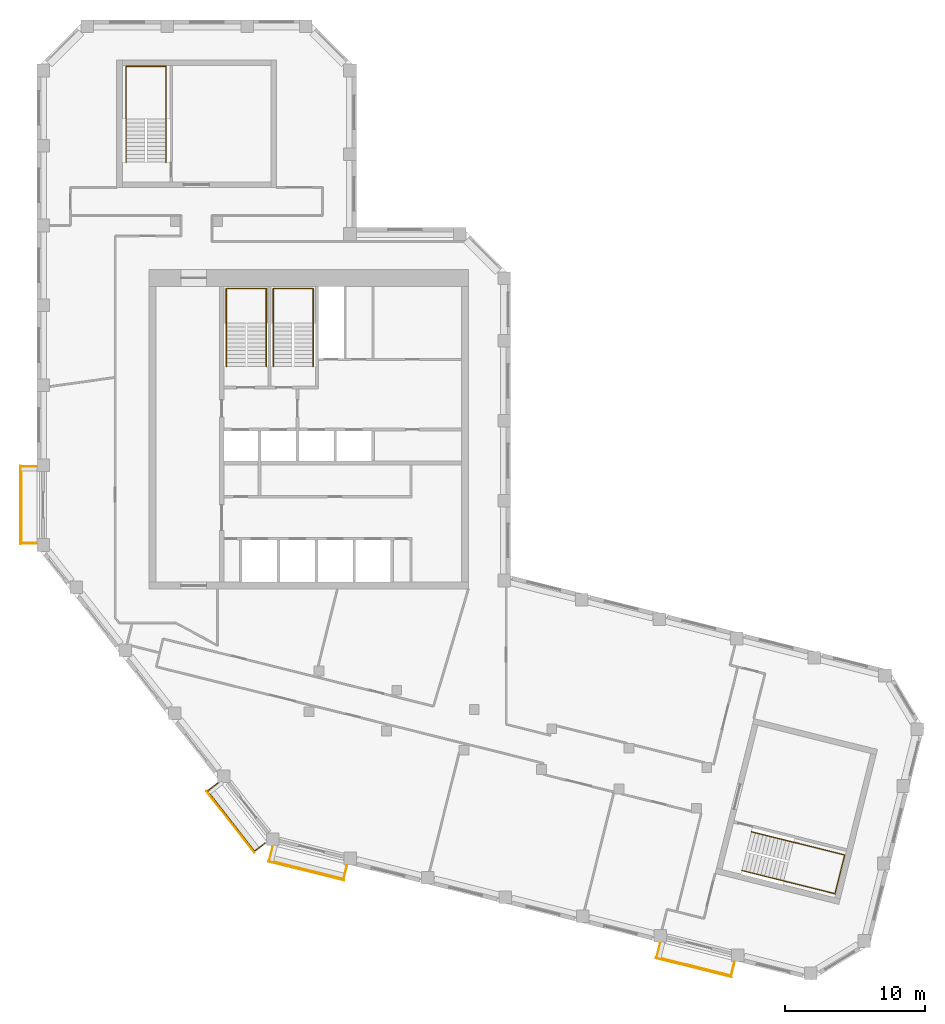
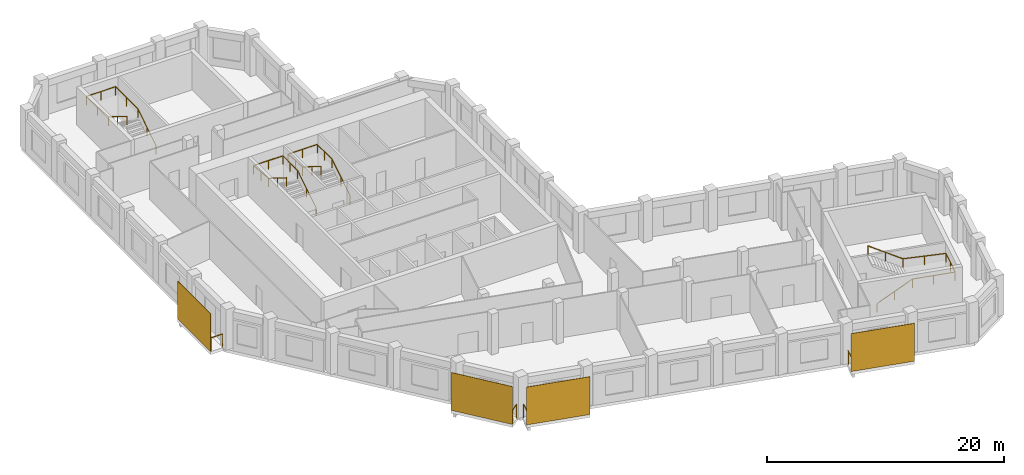
# One storey, part 8 of 8: 8 railings, 4 shading devices.
"""IFC4 building model written with IfcOpenShell, lengths in metres."""

from ifc_helpers import new_model, si_unit, direction, frame, origin, origin_2d, place, context, subcontext, project, spatial, rectangle, circle, extrude, material, layer, layer_set, type_object, element, save


model = new_model("IFC4")

# Units and contexts
model_context = context("Model", 3, precision=1e-05, world=origin(), true_north=direction((0.0, 1.0)))
body_context = subcontext(model_context, "Body", "Model", "MODEL_VIEW")
ifc_project = project(units=[si_unit("LENGTHUNIT", "METRE"), si_unit("AREAUNIT", "SQUARE_METRE"), si_unit("VOLUMEUNIT", "CUBIC_METRE"), si_unit("PLANEANGLEUNIT", "RADIAN"), si_unit("MASSUNIT", "GRAM", prefix="KILO")], contexts=[model_context])

# Site, building, storey
site_placement = place(None, origin())
site = spatial("IfcSite", under=ifc_project, at=site_placement, CompositionType="ELEMENT")
building_placement = place(site_placement, origin())
building = spatial("IfcBuilding", under=site, at=building_placement, Name="Meshkara Civic Tower", CompositionType="ELEMENT")
storey_placement = place(building_placement, frame((0.0, 0.0, 362.39990234375)))
storey = spatial("IfcBuildingStorey", under=building, at=storey_placement, Name="L83", CompositionType="ELEMENT", Elevation=362.39990234375)

# Railings
ifc_material_1 = material(Name="Steel S355", Category="steel")
railing_type_1 = type_object("IfcRailingType", Name="BALUSTRADE GUARD 1400", PredefinedType="BALUSTRADE", material=ifc_material_1)
railing_1_placement = place(storey_placement, frame((0.0, 22.8349609375, 0.0)))
element("IfcRailing", 1, at=railing_1_placement, inside=storey, type_object=railing_type_1, Name="Balcony guard", PredefinedType="BALUSTRADE", context=body_context, shape_type="SweptSolid", body=[
    extrude(circle(Radius=0.02392578125, at=origin_2d()), frame((0.0, 0.0, 1.3759765625), z_axis=(-1.0, 0.0, 0.0), x_axis=(0.0, -1.0, 0.0)), (0.0, 0.0, 1.0), 1.110107421875),
    extrude(circle(Radius=0.02392578125, at=origin_2d()), frame((-1.110107421875, 0.0, 1.3759765625), z_axis=(0.0, -1.0, 0.0), x_axis=(1.0, 0.0, 0.0)), (0.0, 0.0, 1.0), 5.4599609375),
    extrude(circle(Radius=0.02392578125, at=origin_2d()), frame((-1.110107421875, -5.4599609375, 1.3759765625), z_axis=(1.0, 0.0, 0.0), x_axis=(0.0, 1.0, 0.0)), (0.0, 0.0, 1.0), 1.110107421875),
    extrude(circle(Radius=0.02099609375, at=origin_2d()), origin(), (0.0, 0.0, 1.0), 1.351806640625),
    extrude(circle(Radius=0.02099609375, at=origin_2d()), frame((-1.110107421875, 0.0, 0.0)), (0.0, 0.0, 1.0), 1.351806640625),
    extrude(circle(Radius=0.02099609375, at=origin_2d()), frame((-1.110107421875, -1.092041015625, 0.0)), (0.0, 0.0, 1.0), 1.351806640625),
    extrude(circle(Radius=0.02099609375, at=origin_2d()), frame((-1.110107421875, -2.18408203125, 0.0)), (0.0, 0.0, 1.0), 1.351806640625),
    extrude(circle(Radius=0.02099609375, at=origin_2d()), frame((-1.110107421875, -3.27587890625, 0.0)), (0.0, 0.0, 1.0), 1.351806640625),
    extrude(circle(Radius=0.02099609375, at=origin_2d()), frame((-1.110107421875, -4.367919921875, 0.0)), (0.0, 0.0, 1.0), 1.351806640625),
    extrude(circle(Radius=0.02099609375, at=origin_2d()), frame((-1.110107421875, -5.4599609375, 0.0)), (0.0, 0.0, 1.0), 1.351806640625),
    extrude(circle(Radius=0.02099609375, at=origin_2d()), frame((0.0, -5.4599609375, 0.0)), (0.0, 0.0, 1.0), 1.351806640625),
])
railing_2_placement = place(storey_placement, frame((12.91796875, 0.27001953125, 0.0)))
element("IfcRailing", 2, at=railing_2_placement, inside=storey, type_object=railing_type_1, Name="Balcony guard", PredefinedType="BALUSTRADE", context=body_context, shape_type="SweptSolid", body=[
    extrude(circle(Radius=0.02392578125, at=origin_2d()), frame((0.0, 0.0, 1.3759765625), z_axis=(-0.788430880583, -0.615123358801, 0.0), x_axis=(0.615123358801, -0.788430880583, 0.0)), (0.0, 0.0, 1.0), 0.92822265625),
    extrude(circle(Radius=0.02392578125, at=origin_2d()), frame((-0.73193359375, -0.571044921875, 1.3759765625), z_axis=(0.615684818606, -0.787992515281, 0.0), x_axis=(0.787992515281, 0.615684818606, 0.0)), (0.0, 0.0, 1.0), 5.460693359375),
    extrude(circle(Radius=0.02392578125, at=origin_2d()), frame((2.630126953125, -4.8740234375, 1.3759765625), z_axis=(0.787920766417, 0.615776636329, 0.0), x_axis=(-0.615776636329, 0.787920766417, 0.0)), (0.0, 0.0, 1.0), 0.928955078125),
    extrude(circle(Radius=0.02099609375, at=origin_2d()), origin(), (0.0, 0.0, 1.0), 1.351806640625),
    extrude(circle(Radius=0.02099609375, at=origin_2d()), frame((-0.73193359375, -0.571044921875, 0.0)), (0.0, 0.0, 1.0), 1.351806640625),
    extrude(circle(Radius=0.02099609375, at=origin_2d()), frame((-0.0595703125, -1.431640625, 0.0)), (0.0, 0.0, 1.0), 1.351806640625),
    extrude(circle(Radius=0.02099609375, at=origin_2d()), frame((0.61279296875, -2.292236328125, 0.0)), (0.0, 0.0, 1.0), 1.351806640625),
    extrude(circle(Radius=0.02099609375, at=origin_2d()), frame((1.285400390625, -3.15283203125, 0.0)), (0.0, 0.0, 1.0), 1.351806640625),
    extrude(circle(Radius=0.02099609375, at=origin_2d()), frame((1.957763671875, -4.013427734375, 0.0)), (0.0, 0.0, 1.0), 1.351806640625),
    extrude(circle(Radius=0.02099609375, at=origin_2d()), frame((2.630126953125, -4.8740234375, 0.0)), (0.0, 0.0, 1.0), 1.351806640625),
    extrude(circle(Radius=0.02099609375, at=origin_2d()), frame((3.362060546875, -4.302001953125, 0.0)), (0.0, 0.0, 1.0), 1.351806640625),
])
railing_3_placement = place(storey_placement, frame((16.8359375, -4.2958984375, 0.0)))
element("IfcRailing", 3, at=railing_3_placement, inside=storey, type_object=railing_type_1, Name="Balcony guard", PredefinedType="BALUSTRADE", context=body_context, shape_type="SweptSolid", body=[
    extrude(circle(Radius=0.02392578125, at=origin_2d()), frame((0.0, 0.0, 1.3759765625), z_axis=(-0.24213955905, -0.97024143075, 0.0), x_axis=(0.97024143075, -0.24213955905, 0.0)), (0.0, 0.0, 1.0), 1.015380859375),
    extrude(circle(Radius=0.02392578125, at=origin_2d()), frame((-0.245849609375, -0.985107421875, 1.3759765625), z_axis=(0.970289613784, -0.241946410147, 0.0), x_axis=(0.241946410147, 0.970289613784, 0.0)), (0.0, 0.0, 1.0), 5.4599609375),
    extrude(circle(Radius=0.02392578125, at=origin_2d()), frame((5.052001953125, -2.30615234375, 1.3759765625), z_axis=(0.242365897307, 0.970184916303, 0.0), x_axis=(-0.970184916303, 0.242365897307, 0.0)), (0.0, 0.0, 1.0), 1.015380859375),
    extrude(circle(Radius=0.02099609375, at=origin_2d()), origin(), (0.0, 0.0, 1.0), 1.351806640625),
    extrude(circle(Radius=0.02099609375, at=origin_2d()), frame((-0.245849609375, -0.985107421875, 0.0)), (0.0, 0.0, 1.0), 1.351806640625),
    extrude(circle(Radius=0.02099609375, at=origin_2d()), frame((0.813720703125, -1.249267578125, 0.0)), (0.0, 0.0, 1.0), 1.351806640625),
    extrude(circle(Radius=0.02099609375, at=origin_2d()), frame((1.873291015625, -1.513427734375, 0.0)), (0.0, 0.0, 1.0), 1.351806640625),
    extrude(circle(Radius=0.02099609375, at=origin_2d()), frame((2.932861328125, -1.77783203125, 0.0)), (0.0, 0.0, 1.0), 1.351806640625),
    extrude(circle(Radius=0.02099609375, at=origin_2d()), frame((3.992431640625, -2.0419921875, 0.0)), (0.0, 0.0, 1.0), 1.351806640625),
    extrude(circle(Radius=0.02099609375, at=origin_2d()), frame((5.052001953125, -2.30615234375, 0.0)), (0.0, 0.0, 1.0), 1.351806640625),
    extrude(circle(Radius=0.02099609375, at=origin_2d()), frame((5.298095703125, -1.321044921875, 0.0)), (0.0, 0.0, 1.0), 1.351806640625),
])
railing_4_placement = place(storey_placement, frame((44.489013671875, -11.19091796875, 0.0)))
element("IfcRailing", 4, at=railing_4_placement, inside=storey, type_object=railing_type_1, Name="Balcony guard", PredefinedType="BALUSTRADE", context=body_context, shape_type="SweptSolid", body=[
    extrude(circle(Radius=0.02392578125, at=origin_2d()), frame((0.0, 0.0, 1.3759765625), z_axis=(-0.242592252133, -0.970128341615, 0.0), x_axis=(0.970128341615, -0.242592252133, 0.0)), (0.0, 0.0, 1.0), 1.014404296875),
    extrude(circle(Radius=0.02392578125, at=origin_2d()), frame((-0.24609375, -0.984130859375, 1.3759765625), z_axis=(0.970292231073, -0.24193591366, 0.0), x_axis=(0.24193591366, 0.970292231073, 0.0)), (0.0, 0.0, 1.0), 5.460205078125),
    extrude(circle(Radius=0.02392578125, at=origin_2d()), frame((5.052001953125, -2.30517578125, 1.3759765625), z_axis=(0.242592252133, 0.970128341615, 0.0), x_axis=(-0.970128341615, 0.242592252133, 0.0)), (0.0, 0.0, 1.0), 1.014404296875),
    extrude(circle(Radius=0.02099609375, at=origin_2d()), origin(), (0.0, 0.0, 1.0), 1.351806640625),
    extrude(circle(Radius=0.02099609375, at=origin_2d()), frame((-0.24609375, -0.984130859375, 0.0)), (0.0, 0.0, 1.0), 1.351806640625),
    extrude(circle(Radius=0.02099609375, at=origin_2d()), frame((0.8134765625, -1.248291015625, 0.0)), (0.0, 0.0, 1.0), 1.351806640625),
    extrude(circle(Radius=0.02099609375, at=origin_2d()), frame((1.873046875, -1.512451171875, 0.0)), (0.0, 0.0, 1.0), 1.351806640625),
    extrude(circle(Radius=0.02099609375, at=origin_2d()), frame((2.932861328125, -1.77685546875, 0.0)), (0.0, 0.0, 1.0), 1.351806640625),
    extrude(circle(Radius=0.02099609375, at=origin_2d()), frame((3.992431640625, -2.041015625, 0.0)), (0.0, 0.0, 1.0), 1.351806640625),
    extrude(circle(Radius=0.02099609375, at=origin_2d()), frame((5.052001953125, -2.30517578125, 0.0)), (0.0, 0.0, 1.0), 1.351806640625),
    extrude(circle(Radius=0.02099609375, at=origin_2d()), frame((5.298095703125, -1.321044921875, 0.0)), (0.0, 0.0, 1.0), 1.351806640625),
])

# Shading devices
ifc_material_2 = material(Name="Perforated bronze anodised aluminium sheet", Category="aluminium")
ifc_layer = layer(ifc_material_2, 0.0400390625)
ifc_layer_set = layer_set([ifc_layer], Name="PERFORATED BRONZE SCREEN")
shading_device_type = type_object("IfcShadingDeviceType", Name="PERFORATED BRONZE SCREEN", PredefinedType="USERDEFINED", material=ifc_layer_set)
for number, where, z_axis, x_axis, name in (
    (5, (-1.179931640625, 20.10498046875, 0.000244140625), (0.0, 0.0, 1.0), (0.0, -1.0, 0.0), "Balcony screen"),
    (6, (13.81201171875, -2.4951171875, 0.000244140625), (0.0, 0.0, 1.0), (0.615661475326, -0.788010753607, 0.0), "Balcony screen"),
    (7, (19.221923828125, -6.009033203125, 0.000244140625), (0.0, 0.0, 1.0), (0.970295726276, -0.2419218956, 0.0), "Balcony screen"),
    (8, (46.875, -12.904052734375, 0.000244140625), (0.0, 0.0, 1.0), (0.970295726276, -0.2419218956, 0.0), "Balcony screen"),
):
    element("IfcShadingDevice", number, at=place(storey_placement, frame(where, z_axis=z_axis, x_axis=x_axis)), inside=storey, type_object=shading_device_type, Name=name, ObjectType="SCREEN", PredefinedType="USERDEFINED", context=body_context, shape_type="SweptSolid", body=[
        extrude(rectangle(XDim=5.580078125, YDim=0.0400390625, at=origin_2d()), origin(), (0.0, 0.0, 1.0), 3.89990234375),
    ])

# Railings
ifc_material_3 = material(Name="Steel handrail", Category="steel")
railing_type_2 = type_object("IfcRailingType", Name="Stair handrail 900", PredefinedType="HANDRAIL", material=ifc_material_3)
railing_5_placement = place(storey_placement, frame((16.375, 30.0, 0.175048828125)))
element("IfcRailing", 9, at=railing_5_placement, inside=storey, type_object=railing_type_2, Name="L83 ST1 stair handrail 1", PredefinedType="HANDRAIL", context=body_context, shape_type="SweptSolid", body=[
    extrude(circle(Radius=0.02392578125, at=origin_2d()), frame((0.0, 0.0, 0.8759765625), z_axis=(0.0, 0.847998304005, 0.529998940003), x_axis=(-1.0, 0.0, 0.0)), (0.0, 0.0, 1.0), 3.632080078125),
    extrude(circle(Radius=0.02392578125, at=origin_2d()), frame((0.0, 3.080078125, 2.80078125), z_axis=(0.0, 1.0, 0.0), x_axis=(-1.0, 0.0, 0.0)), (0.0, 0.0, 1.0), 2.469970703125),
    extrude(circle(Radius=0.02392578125, at=origin_2d()), frame((0.0, 5.550048828125, 2.80078125), z_axis=(-1.0, 0.0, 0.0), x_axis=(0.0, -1.0, 0.0)), (0.0, 0.0, 1.0), 2.85009765625),
    extrude(circle(Radius=0.02392578125, at=origin_2d()), frame((-2.85009765625, 5.550048828125, 2.80078125), z_axis=(0.0, -0.997498084828, 0.070693498747), x_axis=(1.0, 0.0, 0.0)), (0.0, 0.0, 1.0), 2.47607421875),
    extrude(circle(Radius=0.02392578125, at=origin_2d()), frame((-2.85009765625, 3.080078125, 2.97607421875), z_axis=(0.0, -0.847998304005, 0.529998940003), x_axis=(1.0, 0.0, 0.0)), (0.0, 0.0, 1.0), 3.632080078125),
    extrude(circle(Radius=0.02099609375, at=origin_2d()), origin(), (0.0, 0.0, 1.0), 0.851806640625),
    extrude(circle(Radius=0.02099609375, at=origin_2d()), frame((0.0, 1.5400390625, 0.96240234375)), (0.0, 0.0, 1.0), 0.851806640625),
    extrude(circle(Radius=0.02099609375, at=origin_2d()), frame((0.0, 3.080078125, 1.925048828125)), (0.0, 0.0, 1.0), 0.851806640625),
    extrude(circle(Radius=0.02099609375, at=origin_2d()), frame((0.0, 4.31494140625, 1.925048828125)), (0.0, 0.0, 1.0), 0.851806640625),
    extrude(circle(Radius=0.02099609375, at=origin_2d()), frame((0.0, 5.550048828125, 1.925048828125)), (0.0, 0.0, 1.0), 0.851806640625),
    extrude(circle(Radius=0.02099609375, at=origin_2d()), frame((-1.425048828125, 5.550048828125, 1.925048828125)), (0.0, 0.0, 1.0), 0.851806640625),
    extrude(circle(Radius=0.02099609375, at=origin_2d()), frame((-2.85009765625, 5.550048828125, 1.925048828125)), (0.0, 0.0, 1.0), 0.851806640625),
    extrude(circle(Radius=0.02099609375, at=origin_2d()), frame((-2.85009765625, 4.31494140625, 2.0126953125)), (0.0, 0.0, 1.0), 0.851806640625),
    extrude(circle(Radius=0.02099609375, at=origin_2d()), frame((-2.85009765625, 3.080078125, 2.10009765625)), (0.0, 0.0, 1.0), 0.851806640625),
    extrude(circle(Radius=0.02099609375, at=origin_2d()), frame((-2.85009765625, 1.5400390625, 3.0625)), (0.0, 0.0, 1.0), 0.851806640625),
    extrude(circle(Radius=0.02099609375, at=origin_2d()), frame((-2.85009765625, 0.0, 4.025146484375)), (0.0, 0.0, 1.0), 0.851806640625),
])
railing_6_placement = place(storey_placement, frame((19.72509765625, 30.0, 0.175048828125)))
element("IfcRailing", 10, at=railing_6_placement, inside=storey, type_object=railing_type_2, Name="L83 ST2 stair handrail 1", PredefinedType="HANDRAIL", context=body_context, shape_type="SweptSolid", body=[
    extrude(circle(Radius=0.02392578125, at=origin_2d()), frame((0.0, 0.0, 0.8759765625), z_axis=(0.0, 0.847998304005, 0.529998940003), x_axis=(-1.0, 0.0, 0.0)), (0.0, 0.0, 1.0), 3.632080078125),
    extrude(circle(Radius=0.02392578125, at=origin_2d()), frame((0.0, 3.080078125, 2.80078125), z_axis=(0.0, 1.0, 0.0), x_axis=(-1.0, 0.0, 0.0)), (0.0, 0.0, 1.0), 2.469970703125),
    extrude(circle(Radius=0.02392578125, at=origin_2d()), frame((0.0, 5.550048828125, 2.80078125), z_axis=(-1.0, 0.0, 0.0), x_axis=(0.0, -1.0, 0.0)), (0.0, 0.0, 1.0), 2.85009765625),
    extrude(circle(Radius=0.02392578125, at=origin_2d()), frame((-2.85009765625, 5.550048828125, 2.80078125), z_axis=(0.0, -0.997498084828, 0.070693498747), x_axis=(1.0, 0.0, 0.0)), (0.0, 0.0, 1.0), 2.47607421875),
    extrude(circle(Radius=0.02392578125, at=origin_2d()), frame((-2.85009765625, 3.080078125, 2.97607421875), z_axis=(0.0, -0.847998304005, 0.529998940003), x_axis=(1.0, 0.0, 0.0)), (0.0, 0.0, 1.0), 3.632080078125),
    extrude(circle(Radius=0.02099609375, at=origin_2d()), origin(), (0.0, 0.0, 1.0), 0.851806640625),
    extrude(circle(Radius=0.02099609375, at=origin_2d()), frame((0.0, 1.5400390625, 0.96240234375)), (0.0, 0.0, 1.0), 0.851806640625),
    extrude(circle(Radius=0.02099609375, at=origin_2d()), frame((0.0, 3.080078125, 1.925048828125)), (0.0, 0.0, 1.0), 0.851806640625),
    extrude(circle(Radius=0.02099609375, at=origin_2d()), frame((0.0, 4.31494140625, 1.925048828125)), (0.0, 0.0, 1.0), 0.851806640625),
    extrude(circle(Radius=0.02099609375, at=origin_2d()), frame((0.0, 5.550048828125, 1.925048828125)), (0.0, 0.0, 1.0), 0.851806640625),
    extrude(circle(Radius=0.02099609375, at=origin_2d()), frame((-1.425048828125, 5.550048828125, 1.925048828125)), (0.0, 0.0, 1.0), 0.851806640625),
    extrude(circle(Radius=0.02099609375, at=origin_2d()), frame((-2.85009765625, 5.550048828125, 1.925048828125)), (0.0, 0.0, 1.0), 0.851806640625),
    extrude(circle(Radius=0.02099609375, at=origin_2d()), frame((-2.85009765625, 4.31494140625, 2.0126953125)), (0.0, 0.0, 1.0), 0.851806640625),
    extrude(circle(Radius=0.02099609375, at=origin_2d()), frame((-2.85009765625, 3.080078125, 2.10009765625)), (0.0, 0.0, 1.0), 0.851806640625),
    extrude(circle(Radius=0.02099609375, at=origin_2d()), frame((-2.85009765625, 1.5400390625, 3.0625)), (0.0, 0.0, 1.0), 0.851806640625),
    extrude(circle(Radius=0.02099609375, at=origin_2d()), frame((-2.85009765625, 0.0, 4.025146484375)), (0.0, 0.0, 1.0), 0.851806640625),
])
railing_7_placement = place(storey_placement, frame((9.22509765625, 44.570068359375, 0.175048828125)))
element("IfcRailing", 11, at=railing_7_placement, inside=storey, type_object=railing_type_2, Name="L83 ESA6 stair handrail 1", PredefinedType="HANDRAIL", context=body_context, shape_type="SweptSolid", body=[
    extrude(circle(Radius=0.02392578125, at=origin_2d()), frame((0.0, 0.0, 0.8759765625), z_axis=(0.0, 0.847979421464, 0.530029150871), x_axis=(-1.0, 0.0, 0.0)), (0.0, 0.0, 1.0), 3.632080078125),
    extrude(circle(Radius=0.02392578125, at=origin_2d()), frame((0.0, 3.079833984375, 2.80078125), z_axis=(0.0, 1.0, 0.0), x_axis=(-1.0, 0.0, 0.0)), (0.0, 0.0, 1.0), 3.77001953125),
    extrude(circle(Radius=0.02392578125, at=origin_2d()), frame((0.0, 6.849853515625, 2.80078125), z_axis=(-1.0, 0.0, 0.0), x_axis=(0.0, -1.0, 0.0)), (0.0, 0.0, 1.0), 2.85009765625),
    extrude(circle(Radius=0.02392578125, at=origin_2d()), frame((-2.85009765625, 6.849853515625, 2.80078125), z_axis=(0.0, -0.9989237834, 0.046381838667), x_axis=(1.0, 0.0, 0.0)), (0.0, 0.0, 1.0), 3.774169921875),
    extrude(circle(Radius=0.02392578125, at=origin_2d()), frame((-2.85009765625, 3.079833984375, 2.97607421875), z_axis=(0.0, -0.847979421464, 0.530029150871), x_axis=(1.0, 0.0, 0.0)), (0.0, 0.0, 1.0), 3.632080078125),
    extrude(circle(Radius=0.02099609375, at=origin_2d()), origin(), (0.0, 0.0, 1.0), 0.851806640625),
    extrude(circle(Radius=0.02099609375, at=origin_2d()), frame((0.0, 1.5400390625, 0.96240234375)), (0.0, 0.0, 1.0), 0.851806640625),
    extrude(circle(Radius=0.02099609375, at=origin_2d()), frame((0.0, 3.079833984375, 1.925048828125)), (0.0, 0.0, 1.0), 0.851806640625),
    extrude(circle(Radius=0.02099609375, at=origin_2d()), frame((0.0, 4.96484375, 1.925048828125)), (0.0, 0.0, 1.0), 0.851806640625),
    extrude(circle(Radius=0.02099609375, at=origin_2d()), frame((0.0, 6.849853515625, 1.925048828125)), (0.0, 0.0, 1.0), 0.851806640625),
    extrude(circle(Radius=0.02099609375, at=origin_2d()), frame((-1.425048828125, 6.849853515625, 1.925048828125)), (0.0, 0.0, 1.0), 0.851806640625),
    extrude(circle(Radius=0.02099609375, at=origin_2d()), frame((-2.85009765625, 6.849853515625, 1.925048828125)), (0.0, 0.0, 1.0), 0.851806640625),
    extrude(circle(Radius=0.02099609375, at=origin_2d()), frame((-2.85009765625, 4.96484375, 2.0126953125)), (0.0, 0.0, 1.0), 0.851806640625),
    extrude(circle(Radius=0.02099609375, at=origin_2d()), frame((-2.85009765625, 3.079833984375, 2.10009765625)), (0.0, 0.0, 1.0), 0.851806640625),
    extrude(circle(Radius=0.02099609375, at=origin_2d()), frame((-2.85009765625, 1.5400390625, 3.0625)), (0.0, 0.0, 1.0), 0.851806640625),
    extrude(circle(Radius=0.02099609375, at=origin_2d()), frame((-2.85009765625, 0.0, 4.025146484375)), (0.0, 0.0, 1.0), 0.851806640625),
])
railing_8_placement = place(storey_placement, frame((50.31884765625, -5.975341796875, 0.175048828125)))
element("IfcRailing", 12, at=railing_8_placement, inside=storey, type_object=railing_type_2, Name="L83 ESB6 stair handrail 1", PredefinedType="HANDRAIL", context=body_context, shape_type="SweptSolid", body=[
    extrude(circle(Radius=0.02392578125, at=origin_2d()), frame((0.0, 0.0, 0.8759765625), z_axis=(0.822816010835, -0.205082235851, 0.530014234575), x_axis=(0.241845469214, 0.970314778317, 0.0)), (0.0, 0.0, 1.0), 3.632080078125),
    extrude(circle(Radius=0.02392578125, at=origin_2d()), frame((2.988525390625, -0.744873046875, 2.80078125), z_axis=(0.970325068916, -0.241804178279, 0.0), x_axis=(0.241804178279, 0.970325068916, 0.0)), (0.0, 0.0, 1.0), 3.77001953125),
    extrude(circle(Radius=0.02392578125, at=origin_2d()), frame((6.646728515625, -1.656494140625, 2.80078125), z_axis=(0.24183009087, 0.970318611153, 0.0), x_axis=(-0.970318611153, 0.24183009087, 0.0)), (0.0, 0.0, 1.0), 2.849853515625),
    extrude(circle(Radius=0.02392578125, at=origin_2d()), frame((7.3359375, 1.10888671875, 2.80078125), z_axis=(-0.969265675791, 0.241604865128, 0.046380371699), x_axis=(-0.241865147941, -0.970309873294, 0.0)), (0.0, 0.0, 1.0), 3.774169921875),
    extrude(circle(Radius=0.02392578125, at=origin_2d()), frame((3.677734375, 2.020751953125, 2.97607421875), z_axis=(-0.822827351915, 0.205017843586, 0.530021539894), x_axis=(-0.241770835762, -0.970333377234, 0.0)), (0.0, 0.0, 1.0), 3.632080078125),
    extrude(circle(Radius=0.02099609375, at=origin_2d()), origin(), (0.0, 0.0, 1.0), 0.851806640625),
    extrude(circle(Radius=0.02099609375, at=origin_2d()), frame((1.494140625, -0.37255859375, 0.96240234375)), (0.0, 0.0, 1.0), 0.851806640625),
    extrude(circle(Radius=0.02099609375, at=origin_2d()), frame((2.988525390625, -0.744873046875, 1.925048828125)), (0.0, 0.0, 1.0), 0.851806640625),
    extrude(circle(Radius=0.02099609375, at=origin_2d()), frame((4.817626953125, -1.20068359375, 1.925048828125)), (0.0, 0.0, 1.0), 0.851806640625),
    extrude(circle(Radius=0.02099609375, at=origin_2d()), frame((6.646728515625, -1.656494140625, 1.925048828125)), (0.0, 0.0, 1.0), 0.851806640625),
    extrude(circle(Radius=0.02099609375, at=origin_2d()), frame((6.9912109375, -0.27392578125, 1.925048828125)), (0.0, 0.0, 1.0), 0.851806640625),
    extrude(circle(Radius=0.02099609375, at=origin_2d()), frame((7.3359375, 1.10888671875, 1.925048828125)), (0.0, 0.0, 1.0), 0.851806640625),
    extrude(circle(Radius=0.02099609375, at=origin_2d()), frame((5.5068359375, 1.56494140625, 2.0126953125)), (0.0, 0.0, 1.0), 0.851806640625),
    extrude(circle(Radius=0.02099609375, at=origin_2d()), frame((3.677734375, 2.020751953125, 2.10009765625)), (0.0, 0.0, 1.0), 0.851806640625),
    extrude(circle(Radius=0.02099609375, at=origin_2d()), frame((2.18359375, 2.39306640625, 3.0625)), (0.0, 0.0, 1.0), 0.851806640625),
    extrude(circle(Radius=0.02099609375, at=origin_2d()), frame((0.689208984375, 2.765380859375, 4.025146484375)), (0.0, 0.0, 1.0), 0.851806640625),
])

save(model, "model.ifc")
